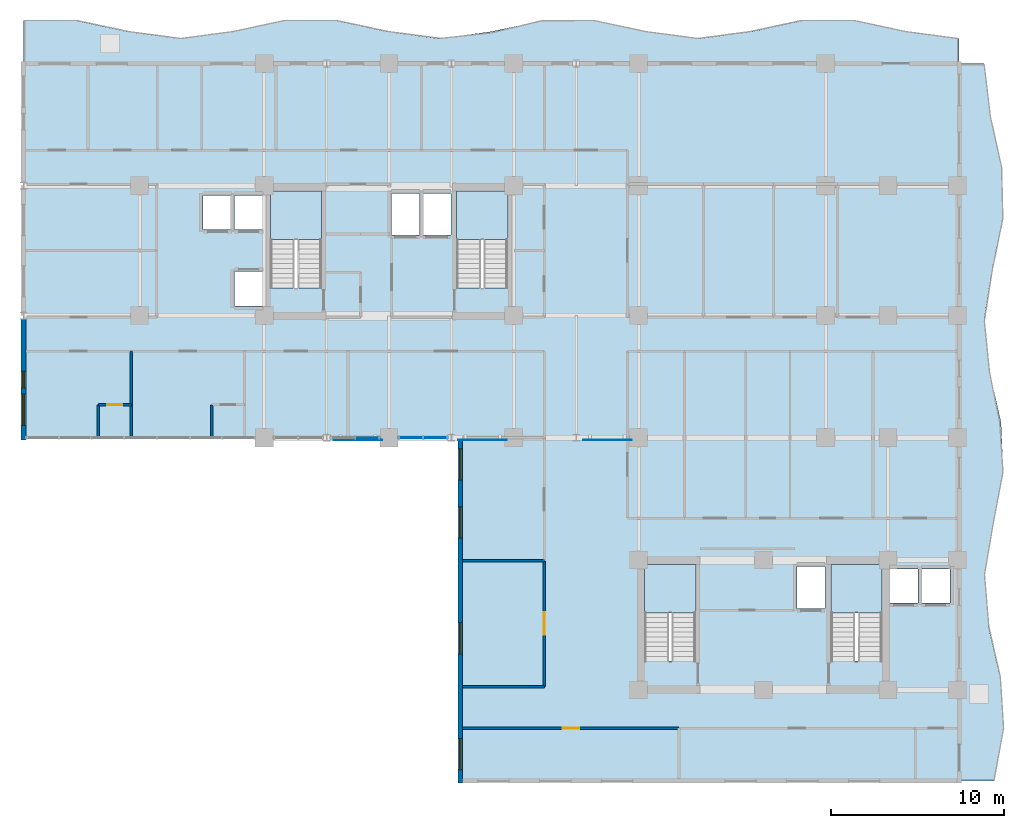
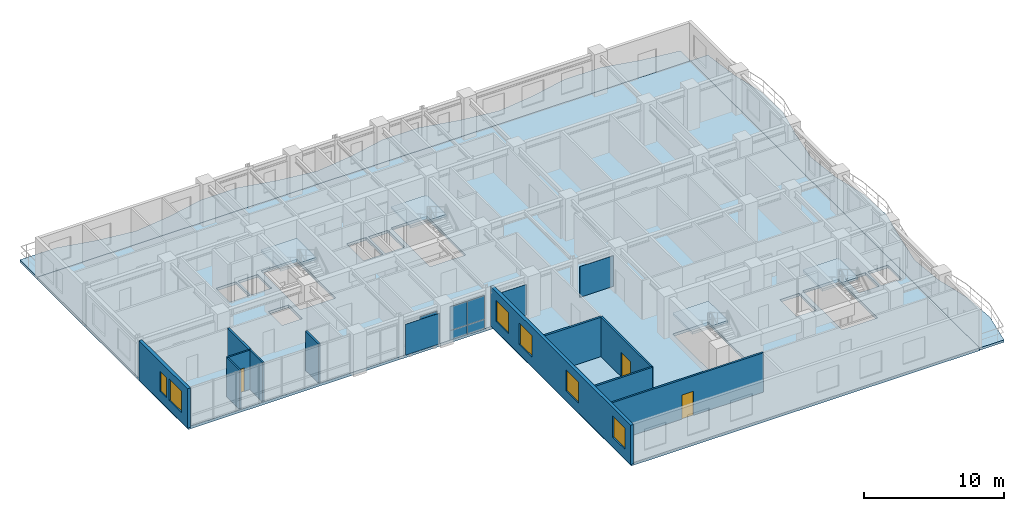
# One storey, part 8 of 17: 11 walls, 8 plates, 7 slabs, 6 windows, 3 doors, 9 openings, 6 elements without a shape of their own.
"""IFC4 building model written with IfcOpenShell, lengths in metres."""

from ifc_helpers import new_model, si_unit, direction, frame, frame_2d, origin, origin_2d, place, context, subcontext, project, spatial, polyline, rectangle, outline, extrude, source, transform, mapped, material, layer, layer_set, type_object, element, fill, aggregate, save


model = new_model("IFC4")

# Units and contexts
model_context = context("Model", 3, precision=1e-05, world=origin(), true_north=direction((0.0, 1.0)))
body_context = subcontext(model_context, "Body", "Model", "MODEL_VIEW")
ifc_project = project(units=[si_unit("LENGTHUNIT", "METRE"), si_unit("AREAUNIT", "SQUARE_METRE"), si_unit("VOLUMEUNIT", "CUBIC_METRE"), si_unit("PLANEANGLEUNIT", "RADIAN"), si_unit("MASSUNIT", "GRAM", prefix="KILO")], contexts=[model_context])

# Site, building, storey
site_placement = place(None, origin())
site = spatial("IfcSite", under=ifc_project, at=site_placement, CompositionType="ELEMENT")
building_placement = place(site_placement, origin())
building = spatial("IfcBuilding", under=site, at=building_placement, Name="Kaliganga Portal Commons", CompositionType="ELEMENT")
storey_placement = place(building_placement, frame((0.0, 0.0, 143.89990234375)))
storey = spatial("IfcBuildingStorey", under=building, at=storey_placement, Name="L36", CompositionType="ELEMENT", Elevation=143.89990234375)

# Slabs
ifc_material_1 = material(Name="Concrete C40/50", Category="concrete")
ifc_layer_1 = layer(ifc_material_1, 0.2099609375)
ifc_layer_set_1 = layer_set([ifc_layer_1], Name="Concrete C40/50")
slab_type_1 = type_object("IfcSlabType", Name="SLB-BALC-210", PredefinedType="FLOOR", material=ifc_layer_set_1)
slab_1_placement = place(storey_placement, frame((0.0, 0.0, -0.2099609375)))
element("IfcSlab", 1, at=slab_1_placement, inside=storey, type_object=slab_type_1, Name="Scalloped Tree-Planter Balcony Slab L36 balc_north", PredefinedType="FLOOR", context=body_context, shape_type="SweptSolid", body=[
    extrude(outline(polyline([(54.5, 43.199951171875), (54.5, 44.642822265625), (51.5, 45.042724609375), (48.5, 45.689453125), (45.5, 45.689453125), (42.5, 45.042724609375), (39.5, 44.642822265625), (36.5, 45.042724609375), (33.5, 45.689453125), (30.5, 45.689453125), (27.5, 45.042724609375), (24.5, 44.642822265625), (21.5, 45.042724609375), (18.5, 45.689453125), (15.5, 45.689453125), (12.5, 45.042724609375), (9.5, 44.642822265625), (6.5, 45.042724609375), (3.5, 45.689453125), (0.5, 45.689453125), (0.5, 43.199951171875), (54.5, 43.199951171875)])), origin(), (0.0, 0.0, 1.0), 0.2099609375),
])
slab_2_placement = place(storey_placement, frame((0.0, 0.0, -0.2099609375)))
element("IfcSlab", 2, at=slab_2_placement, inside=storey, type_object=slab_type_1, Name="Scalloped Tree-Planter Balcony Slab L36 balc_east", PredefinedType="FLOOR", context=body_context, shape_type="SweptSolid", body=[
    extrude(outline(polyline([(54.5, 1.800048828125), (56.521484375, 1.800048828125), (57.068359375, 4.757080078125), (56.878173828125, 7.71435546875), (56.20703125, 10.67138671875), (55.959716796875, 13.628662109375), (56.469482421875, 16.585693359375), (57.04931640625, 19.54296875), (56.91748046875, 22.5), (56.251953125, 25.45703125), (55.94970703125, 28.414306640625), (56.418212890625, 31.371337890625), (57.02587890625, 34.32861328125), (56.95361328125, 37.28564453125), (56.298828125, 40.242919921875), (55.944091796875, 43.199951171875), (54.5, 43.199951171875), (54.5, 1.800048828125)])), origin(), (0.0, 0.0, 1.0), 0.2099609375),
])

# Stair, slab
stair_type = type_object("IfcStairType", Name="ST-CORE-DOGLEG", PredefinedType="HALF_TURN_STAIR", material=ifc_material_1)
stair_1_placement = place(storey_placement, origin())
stair_1 = element("IfcStair", 3, at=stair_1_placement, inside=storey, type_object=stair_type, Name="L36 Protected Exit Stair ST-A1", PredefinedType="HALF_TURN_STAIR")
ifc_layer_2 = layer(ifc_material_1, 0.199951171875)
ifc_layer_set_2 = layer_set([ifc_layer_2], Name="Concrete C40/50")
slab_type_2 = type_object("IfcSlabType", Name="SLB-STAIR-LND", PredefinedType="LANDING", material=ifc_layer_set_2)
slab_3_placement = place(storey_placement, frame((0.0, 0.0, 1.650146484375)))
slab_3 = element("IfcSlab", 4, at=slab_3_placement, type_object=slab_type_2, Name="ST-A1 landing 1", PredefinedType="LANDING", context=body_context, shape_type="SweptSolid", body=[
    extrude(outline(polyline([(17.699951171875, 33.050048828125), (17.699951171875, 35.85009765625), (14.75, 35.85009765625), (14.75, 33.050048828125), (17.699951171875, 33.050048828125)])), origin(), (0.0, 0.0, 1.0), 0.199951171875),
])
aggregate(stair_1, [slab_3])

stair_2_placement = place(storey_placement, origin())
stair_2 = element("IfcStair", 5, at=stair_2_placement, inside=storey, type_object=stair_type, Name="L36 Protected Exit Stair ST-A2", PredefinedType="HALF_TURN_STAIR")
slab_4_placement = place(storey_placement, frame((0.0, 0.0, 1.650146484375)))
slab_4 = element("IfcSlab", 6, at=slab_4_placement, type_object=slab_type_2, Name="ST-A2 landing 1", PredefinedType="LANDING", context=body_context, shape_type="SweptSolid", body=[
    extrude(outline(polyline([(28.449951171875, 33.050048828125), (28.449951171875, 35.85009765625), (25.5, 35.85009765625), (25.5, 33.050048828125), (28.449951171875, 33.050048828125)])), origin(), (0.0, 0.0, 1.0), 0.199951171875),
])
aggregate(stair_2, [slab_4])

stair_3_placement = place(storey_placement, origin())
stair_3 = element("IfcStair", 7, at=stair_3_placement, inside=storey, type_object=stair_type, Name="L36 Protected Exit Stair ST-B1", PredefinedType="HALF_TURN_STAIR")
slab_5_placement = place(storey_placement, frame((0.0, 0.0, 1.650146484375)))
slab_5 = element("IfcSlab", 8, at=slab_5_placement, type_object=slab_type_2, Name="ST-B1 landing 1", PredefinedType="LANDING", context=body_context, shape_type="SweptSolid", body=[
    extrude(outline(polyline([(39.300048828125, 11.5), (39.300048828125, 14.300048828125), (36.35009765625, 14.300048828125), (36.35009765625, 11.5), (39.300048828125, 11.5)])), origin(), (0.0, 0.0, 1.0), 0.199951171875),
])
aggregate(stair_3, [slab_5])

stair_4_placement = place(storey_placement, origin())
stair_4 = element("IfcStair", 9, at=stair_4_placement, inside=storey, type_object=stair_type, Name="L36 Protected Exit Stair ST-B2", PredefinedType="HALF_TURN_STAIR")
slab_6_placement = place(storey_placement, frame((0.0, 0.0, 1.650146484375)))
slab_6 = element("IfcSlab", 10, at=slab_6_placement, type_object=slab_type_2, Name="ST-B2 landing 1", PredefinedType="LANDING", context=body_context, shape_type="SweptSolid", body=[
    extrude(outline(polyline([(50.050048828125, 11.5), (50.050048828125, 14.300048828125), (47.10009765625, 14.300048828125), (47.10009765625, 11.5), (50.050048828125, 11.5)])), origin(), (0.0, 0.0, 1.0), 0.199951171875),
])
aggregate(stair_4, [slab_6])

# Slab
ifc_layer_3 = layer(ifc_material_1, 0.239990234375)
ifc_layer_set_3 = layer_set([ifc_layer_3], Name="Concrete C40/50")
slab_type_3 = type_object("IfcSlabType", Name="SLB-TWR-240", PredefinedType="FLOOR", material=ifc_layer_set_3)
slab_7_placement = place(storey_placement, frame((0.0, 0.0, -0.239990234375)))
element("IfcSlab", 11, at=slab_7_placement, inside=storey, type_object=slab_type_3, Name="Structural Floor Slab L36", PredefinedType="FLOOR", context=body_context, shape_type="SweptSolid", body=[
    extrude(outline(polyline([(25.699951171875, 1.800048828125), (54.5, 1.800048828125), (54.5, 43.199951171875), (0.5, 43.199951171875), (0.5, 21.60009765625), (25.699951171875, 21.60009765625), (25.699951171875, 1.800048828125)]), holes=[polyline([(14.75, 30.25390625), (14.75, 35.85009765625), (17.699951171875, 35.85009765625), (17.699951171875, 30.25390625), (14.75, 30.25390625)]), polyline([(25.5, 30.25390625), (25.5, 35.85009765625), (28.449951171875, 35.85009765625), (28.449951171875, 30.25390625), (25.5, 30.25390625)]), polyline([(36.35009765625, 8.7041015625), (36.35009765625, 14.300048828125), (39.300048828125, 14.300048828125), (39.300048828125, 8.7041015625), (36.35009765625, 8.7041015625)]), polyline([(47.10009765625, 8.7041015625), (47.10009765625, 14.300048828125), (50.050048828125, 14.300048828125), (50.050048828125, 8.7041015625), (47.10009765625, 8.7041015625)]), polyline([(12.6650390625, 33.614990234375), (12.6650390625, 35.5849609375), (14.3349609375, 35.5849609375), (14.3349609375, 33.614990234375), (12.6650390625, 33.614990234375)]), polyline([(12.6650390625, 29.215087890625), (12.6650390625, 31.18505859375), (14.3349609375, 31.18505859375), (14.3349609375, 29.215087890625), (12.6650390625, 29.215087890625)]), polyline([(10.864990234375, 33.614990234375), (10.864990234375, 35.5849609375), (12.534912109375, 35.5849609375), (12.534912109375, 33.614990234375), (10.864990234375, 33.614990234375)]), polyline([(21.739990234375, 33.2900390625), (21.739990234375, 35.7099609375), (23.360107421875, 35.7099609375), (23.360107421875, 33.2900390625), (21.739990234375, 33.2900390625)]), polyline([(23.5400390625, 33.2900390625), (23.5400390625, 35.7099609375), (25.159912109375, 35.7099609375), (25.159912109375, 33.2900390625), (23.5400390625, 33.2900390625)]), polyline([(50.465087890625, 12.06494140625), (50.465087890625, 14.034912109375), (52.135009765625, 14.034912109375), (52.135009765625, 12.06494140625), (50.465087890625, 12.06494140625)]), polyline([(52.31494140625, 12.06494140625), (52.31494140625, 14.034912109375), (53.985107421875, 14.034912109375), (53.985107421875, 12.06494140625), (52.31494140625, 12.06494140625)]), polyline([(45.139892578125, 11.739990234375), (45.139892578125, 14.159912109375), (46.760009765625, 14.159912109375), (46.760009765625, 11.739990234375), (45.139892578125, 11.739990234375)])]), origin(), (0.0, 0.0, 1.0), 0.239990234375),
])

# Plates
ifc_material_2 = material(Name="Perforated Bronze-Anodized Aluminium Solar Screen", Category="aluminium")
ifc_layer_4 = layer(ifc_material_2, 0.01806640625)
ifc_layer_set_4 = layer_set([ifc_layer_4], Name="Perforated Bronze-Anodized Aluminium Solar Screen")
plate_type_1 = type_object("IfcPlateType", Name="PLT-SCR-18", PredefinedType="USERDEFINED", material=ifc_layer_set_4)
shared_shape_1 = source(origin(), body_context, "Body", "SweptSolid", [
    extrude(rectangle(XDim=2.800048828125, YDim=0.01806640625, at=origin_2d()), origin(), (0.0, 0.0, 1.0), 2.68994140625),
])
for number, where, z_axis, x_axis, name in (
    (12, (19.800048828125, 21.47998046875, 0.080078125), (0.0, 0.0, 1.0), (1.0, 0.0, 0.0), "Perforated Solar Screen L36-S1"),
    (13, (27.0, 21.47998046875, 0.080078125), (0.0, 0.0, 1.0), (1.0, 0.0, 0.0), "Perforated Solar Screen L36-S2"),
    (14, (34.199951171875, 21.47998046875, 0.080078125), (0.0, 0.0, 1.0), (1.0, 0.0, 0.0), "Perforated Solar Screen L36-S3"),
):
    element("IfcPlate", number, at=place(storey_placement, frame(where, z_axis=z_axis, x_axis=x_axis)), inside=storey, type_object=plate_type_1, Name=name, ObjectType="SOLAR SCREEN", PredefinedType="USERDEFINED", context=body_context, shape_type="MappedRepresentation", body=[
        mapped(shared_shape_1, transform((0.0, 0.0, 0.0), x_axis=(1.0, 0.0, 0.0), y_axis=(0.0, 1.0, 0.0), z_axis=(0.0, 0.0, 1.0), scale=1.0)),
    ])

# Curtain wall, plates
ifc_material_3 = material(Name="Anodized Aluminium and Laminated Low-E Glass", Category="aluminium")
ifc_layer_5 = layer(ifc_material_3, 0.2099609375)
ifc_layer_set_5 = layer_set([ifc_layer_5], Name="Anodized Aluminium and Laminated Low-E Glass")
curtain_wall_type = type_object("IfcCurtainWallType", Name="CW-SYS-03", PredefinedType="NOTDEFINED", material=ifc_layer_set_5)
curtain_wall_1_placement = place(storey_placement, origin())
curtain_wall_1 = element("IfcCurtainWall", 15, at=curtain_wall_1_placement, inside=storey, type_object=curtain_wall_type, Name="CW 03 L36 P1E04S4", PredefinedType="NOTDEFINED")
ifc_material_4 = material(Name="Insulated Dark Spandrel Panel", Category="metal")
ifc_layer_6 = layer(ifc_material_4, 0.044921875)
ifc_layer_set_6 = layer_set([ifc_layer_6], Name="Insulated Dark Spandrel Panel")
plate_type_2 = type_object("IfcPlateType", Name="PLT-SPN-45", PredefinedType="SHEET", material=ifc_layer_set_6)
shared_shape_2 = source(origin(), body_context, "Body", "SweptSolid", [
    extrude(rectangle(XDim=1.3955078125, YDim=0.044921875, at=origin_2d()), origin(), (0.0, 0.0, 1.0), 0.82275390625),
])
plate_1_placement = place(storey_placement, frame((22.84375, 21.60009765625, 0.010009765625), z_axis=(0.0, 0.0, 1.0), x_axis=(1.0, 0.0, 0.0)))
plate_1 = element("IfcPlate", 16, at=plate_1_placement, type_object=plate_type_2, Name="CW:03:L36:P1E04S4 Spandrel 00", PredefinedType="SHEET", context=body_context, shape_type="MappedRepresentation", body=[
    mapped(shared_shape_2, transform((0.0, 0.0, 0.0), x_axis=(1.0, 0.0, 0.0), y_axis=(0.0, 1.0, 0.0), z_axis=(0.0, 0.0, 1.0), scale=1.0)),
])
plate_2_placement = place(storey_placement, frame((24.279296875, 21.60009765625, 0.010009765625), z_axis=(0.0, 0.0, 1.0), x_axis=(1.0, 0.0, 0.0)))
plate_2 = element("IfcPlate", 17, at=plate_2_placement, type_object=plate_type_2, Name="CW:03:L36:P1E04S4 Spandrel 01", PredefinedType="SHEET", context=body_context, shape_type="MappedRepresentation", body=[
    mapped(shared_shape_2, transform((0.0, 0.0, 0.0), x_axis=(1.0, 0.0, 0.0), y_axis=(0.0, 1.0, 0.0), z_axis=(0.0, 0.0, 1.0), scale=1.0)),
])

# Curtain wall, plate
curtain_wall_2_placement = place(storey_placement, origin())
curtain_wall_2 = element("IfcCurtainWall", 18, at=curtain_wall_2_placement, inside=storey, type_object=curtain_wall_type, Name="CW 03 L36 P1E04S3", PredefinedType="NOTDEFINED")
ifc_material_5 = material(Name="Dark Solar-Control Laminated Low-E IGU", Category="glass")
ifc_layer_7 = layer(ifc_material_5, 0.028076171875)
ifc_layer_set_7 = layer_set([ifc_layer_7], Name="Dark Solar-Control Laminated Low-E IGU")
plate_type_3 = type_object("IfcPlateType", Name="PLT-GLZ-28", PredefinedType="CURTAIN_PANEL", material=ifc_layer_set_7)
shared_shape_3 = source(origin(), body_context, "Body", "SweptSolid", [
    extrude(rectangle(XDim=1.3955078125, YDim=0.028076171875, at=origin_2d()), origin(), (0.0, 0.0, 1.0), 2.067138671875),
])
plate_3_placement = place(storey_placement, frame((20.356201171875, 21.60009765625, 0.85302734375), z_axis=(0.0, 0.0, 1.0), x_axis=(1.0, 0.0, 0.0)))
plate_3 = element("IfcPlate", 19, at=plate_3_placement, type_object=plate_type_3, Name="CW:03:L36:P1E04S3 Vision IGU 01", PredefinedType="CURTAIN_PANEL", context=body_context, shape_type="MappedRepresentation", body=[
    mapped(shared_shape_3, transform((0.0, 0.0, 0.0), x_axis=(1.0, 0.0, 0.0), y_axis=(0.0, 1.0, 0.0), z_axis=(0.0, 0.0, 1.0), scale=1.0)),
])
aggregate(curtain_wall_2, [plate_3])

# Plate
plate_4_placement = place(storey_placement, frame((22.84375, 21.60009765625, 0.85302734375), z_axis=(0.0, 0.0, 1.0), x_axis=(1.0, 0.0, 0.0)))
plate_4 = element("IfcPlate", 20, at=plate_4_placement, type_object=plate_type_3, Name="CW:03:L36:P1E04S4 Vision IGU 00", PredefinedType="CURTAIN_PANEL", context=body_context, shape_type="MappedRepresentation", body=[
    mapped(shared_shape_3, transform((0.0, 0.0, 0.0), x_axis=(1.0, 0.0, 0.0), y_axis=(0.0, 1.0, 0.0), z_axis=(0.0, 0.0, 1.0), scale=1.0)),
])

plate_5_placement = place(storey_placement, frame((24.279296875, 21.60009765625, 0.85302734375), z_axis=(0.0, 0.0, 1.0), x_axis=(1.0, 0.0, 0.0)))
plate_5 = element("IfcPlate", 21, at=plate_5_placement, type_object=plate_type_3, Name="CW:03:L36:P1E04S4 Vision IGU 01", PredefinedType="CURTAIN_PANEL", context=body_context, shape_type="MappedRepresentation", body=[
    mapped(shared_shape_3, transform((0.0, 0.0, 0.0), x_axis=(1.0, 0.0, 0.0), y_axis=(0.0, 1.0, 0.0), z_axis=(0.0, 0.0, 1.0), scale=1.0)),
])

aggregate(curtain_wall_1, [plate_1, plate_4, plate_2, plate_5])

# Wall, openings, windows
ifc_material_6 = material(Name="Insulated Aluminium-Clad Spandrel Assembly", Category="aluminium")
ifc_layer_8 = layer(ifc_material_6, 0.260009765625)
ifc_layer_set_8 = layer_set([ifc_layer_8], Name="Insulated Aluminium-Clad Spandrel Assembly")
wall_type_1 = type_object("IfcWallType", Name="WL-EXT-SPAND-260", PredefinedType="STANDARD", material=ifc_layer_set_8)
wall_1_placement = place(storey_placement, frame((0.5, 21.469970703125, 0.0), z_axis=(0.0, 0.0, 1.0), x_axis=(0.0, 1.0, 0.0)))
wall_1 = element("IfcWall", 22, at=wall_1_placement, inside=storey, type_object=wall_type_1, Name="Exterior Envelope Wall L36 P1-E03-S3", PredefinedType="STANDARD", context=body_context, shape_type="SweptSolid", body=[
    extrude(rectangle(XDim=6.971923828125, YDim=0.260009765625, at=frame_2d((3.48583984375, 0.0))), origin(), (0.0, 0.0, 1.0), 3.440185546875),
])
opening_1_placement = place(wall_1_placement, frame((0.843017578125, 0.0, 0.85009765625)))
opening_1 = element("IfcOpeningElement", 23, at=opening_1_placement, cuts=wall_1, Name="Opening W-01", PredefinedType="OPENING", context=body_context, shape_type="SweptSolid", body=[
    extrude(rectangle(XDim=1.800048828125, YDim=1.85009765625, at=frame_2d((0.89990234375, 0.925048828125))), frame((0.0, 0.14013671875, 0.0), z_axis=(0.0, -1.0, 0.0), x_axis=(1.0, 0.0, 0.0)), (0.0, 0.0, 1.0), 0.280029296875),
])
opening_2_placement = place(wall_1_placement, frame((3.010986328125, 0.0, 0.85009765625)))
opening_2 = element("IfcOpeningElement", 24, at=opening_2_placement, cuts=wall_1, Name="Opening W-04", PredefinedType="OPENING", context=body_context, shape_type="SweptSolid", body=[
    extrude(rectangle(XDim=0.949951171875, YDim=1.75, at=frame_2d((0.47509765625, 0.875))), frame((0.0, 0.14013671875, 0.0), z_axis=(0.0, -1.0, 0.0), x_axis=(1.0, 0.0, 0.0)), (0.0, 0.0, 1.0), 0.280029296875),
])
ifc_material_7 = material(Name="Thermally Broken Aluminium and Low-E Double Glazing", Category="aluminium")
window_type_1 = type_object("IfcWindowType", Name="WIN-NARROW-950", PartitioningType="SINGLE_PANEL", PredefinedType="WINDOW", material=ifc_material_7)
window_1_placement = place(opening_2_placement, origin())
window_1 = element("IfcWindow", 25, at=window_1_placement, inside=storey, type_object=window_type_1, Name="Facade Window L36-P1E03S3-N0", OverallHeight=1.75, OverallWidth=0.949951171875, PartitioningType="SINGLE_PANEL", PredefinedType="WINDOW", context=body_context, shape_type="SweptSolid", body=[
    extrude(rectangle(XDim=0.949951171875, YDim=1.75, at=frame_2d((0.47509765625, 0.875))), frame((0.0, 0.030029296875, 0.0), z_axis=(0.0, -1.0, 0.0), x_axis=(1.0, 0.0, 0.0)), (0.0, 0.0, 1.0), 0.06005859375),
])
fill(opening_2, window_1)
window_type_2 = type_object("IfcWindowType", Name="WIN-STD-1800", PartitioningType="DOUBLE_PANEL_VERTICAL", PredefinedType="WINDOW", material=ifc_material_7)
window_2_placement = place(opening_1_placement, origin())
window_2 = element("IfcWindow", 26, at=window_2_placement, inside=storey, type_object=window_type_2, Name="Facade Window L36-P1E03S3-00", OverallHeight=1.85009765625, OverallWidth=1.800048828125, PartitioningType="SINGLE_PANEL", PredefinedType="WINDOW", context=body_context, shape_type="SweptSolid", body=[
    extrude(rectangle(XDim=1.800048828125, YDim=1.85009765625, at=frame_2d((0.89990234375, 0.925048828125))), frame((0.0, 0.030029296875, 0.0), z_axis=(0.0, -1.0, 0.0), x_axis=(1.0, 0.0, 0.0)), (0.0, 0.0, 1.0), 0.06005859375),
])
fill(opening_1, window_2)

wall_2_placement = place(storey_placement, frame((25.699951171875, 1.669921875, 0.0), z_axis=(0.0, 0.0, 1.0), x_axis=(0.0, 1.0, 0.0)))
wall_2 = element("IfcWall", 27, at=wall_2_placement, inside=storey, type_object=wall_type_1, Name="Exterior Envelope Wall L36 P1-E05-S1", PredefinedType="STANDARD", context=body_context, shape_type="SweptSolid", body=[
    extrude(rectangle(XDim=20.06005859375, YDim=0.260009765625, at=frame_2d((10.030029296875, 0.0))), origin(), (0.0, 0.0, 1.0), 3.440185546875),
])
opening_3_placement = place(wall_2_placement, frame((0.771728515625, 0.0, 0.85009765625)))
opening_3 = element("IfcOpeningElement", 28, at=opening_3_placement, cuts=wall_2, Name="Opening W-01", PredefinedType="OPENING", context=body_context, shape_type="SweptSolid", body=[
    extrude(rectangle(XDim=1.800048828125, YDim=1.85009765625, at=frame_2d((0.89990234375, 0.925048828125))), frame((0.0, 0.14013671875, 0.0), z_axis=(0.0, -1.0, 0.0), x_axis=(1.0, 0.0, 0.0)), (0.0, 0.0, 1.0), 0.280029296875),
])
opening_4_placement = place(wall_2_placement, frame((7.458251953125, 0.0, 0.85009765625)))
opening_4 = element("IfcOpeningElement", 29, at=opening_4_placement, cuts=wall_2, Name="Opening W-01", PredefinedType="OPENING", context=body_context, shape_type="SweptSolid", body=[
    extrude(rectangle(XDim=1.800048828125, YDim=1.85009765625, at=frame_2d((0.89990234375, 0.925048828125))), frame((0.0, 0.14013671875, 0.0), z_axis=(0.0, -1.0, 0.0), x_axis=(1.0, 0.0, 0.0)), (0.0, 0.0, 1.0), 0.280029296875),
])
opening_5_placement = place(wall_2_placement, frame((14.14501953125, 0.0, 0.85009765625)))
opening_5 = element("IfcOpeningElement", 30, at=opening_5_placement, cuts=wall_2, Name="Opening W-01", PredefinedType="OPENING", context=body_context, shape_type="SweptSolid", body=[
    extrude(rectangle(XDim=1.800048828125, YDim=1.85009765625, at=frame_2d((0.89990234375, 0.925048828125))), frame((0.0, 0.14013671875, 0.0), z_axis=(0.0, -1.0, 0.0), x_axis=(1.0, 0.0, 0.0)), (0.0, 0.0, 1.0), 0.280029296875),
])
opening_6_placement = place(wall_2_placement, frame((17.48828125, 0.0, 0.85009765625)))
opening_6 = element("IfcOpeningElement", 31, at=opening_6_placement, cuts=wall_2, Name="Opening W-01", PredefinedType="OPENING", context=body_context, shape_type="SweptSolid", body=[
    extrude(rectangle(XDim=1.800048828125, YDim=1.85009765625, at=frame_2d((0.89990234375, 0.925048828125))), frame((0.0, 0.14013671875, 0.0), z_axis=(0.0, -1.0, 0.0), x_axis=(1.0, 0.0, 0.0)), (0.0, 0.0, 1.0), 0.280029296875),
])
window_3_placement = place(opening_3_placement, origin())
window_3 = element("IfcWindow", 32, at=window_3_placement, inside=storey, type_object=window_type_2, Name="Facade Window L36-P1E05S1-00", OverallHeight=1.85009765625, OverallWidth=1.800048828125, PartitioningType="SINGLE_PANEL", PredefinedType="WINDOW", context=body_context, shape_type="SweptSolid", body=[
    extrude(rectangle(XDim=1.800048828125, YDim=1.85009765625, at=frame_2d((0.89990234375, 0.925048828125))), frame((0.0, 0.030029296875, 0.0), z_axis=(0.0, -1.0, 0.0), x_axis=(1.0, 0.0, 0.0)), (0.0, 0.0, 1.0), 0.06005859375),
])
fill(opening_3, window_3)
window_4_placement = place(opening_4_placement, origin())
window_4 = element("IfcWindow", 33, at=window_4_placement, inside=storey, type_object=window_type_2, Name="Facade Window L36-P1E05S1-02", OverallHeight=1.85009765625, OverallWidth=1.800048828125, PartitioningType="SINGLE_PANEL", PredefinedType="WINDOW", context=body_context, shape_type="SweptSolid", body=[
    extrude(rectangle(XDim=1.800048828125, YDim=1.85009765625, at=frame_2d((0.89990234375, 0.925048828125))), frame((0.0, 0.030029296875, 0.0), z_axis=(0.0, -1.0, 0.0), x_axis=(1.0, 0.0, 0.0)), (0.0, 0.0, 1.0), 0.06005859375),
])
fill(opening_4, window_4)
window_5_placement = place(opening_5_placement, origin())
window_5 = element("IfcWindow", 34, at=window_5_placement, inside=storey, type_object=window_type_2, Name="Facade Window L36-P1E05S1-04", OverallHeight=1.85009765625, OverallWidth=1.800048828125, PartitioningType="SINGLE_PANEL", PredefinedType="WINDOW", context=body_context, shape_type="SweptSolid", body=[
    extrude(rectangle(XDim=1.800048828125, YDim=1.85009765625, at=frame_2d((0.89990234375, 0.925048828125))), frame((0.0, 0.030029296875, 0.0), z_axis=(0.0, -1.0, 0.0), x_axis=(1.0, 0.0, 0.0)), (0.0, 0.0, 1.0), 0.06005859375),
])
fill(opening_5, window_5)
window_6_placement = place(opening_6_placement, origin())
window_6 = element("IfcWindow", 35, at=window_6_placement, inside=storey, type_object=window_type_2, Name="Facade Window L36-P1E05S1-05", OverallHeight=1.85009765625, OverallWidth=1.800048828125, PartitioningType="SINGLE_PANEL", PredefinedType="WINDOW", context=body_context, shape_type="SweptSolid", body=[
    extrude(rectangle(XDim=1.800048828125, YDim=1.85009765625, at=frame_2d((0.89990234375, 0.925048828125))), frame((0.0, 0.030029296875, 0.0), z_axis=(0.0, -1.0, 0.0), x_axis=(1.0, 0.0, 0.0)), (0.0, 0.0, 1.0), 0.06005859375),
])
fill(opening_6, window_6)

# Wall, opening, door
ifc_material_8 = material(Name="Fire-Rated Gypsum Board on Steel Stud", Category="steel")
ifc_layer_9 = layer(ifc_material_8, 0.14990234375)
ifc_layer_set_9 = layer_set([ifc_layer_9], Name="Fire-Rated Gypsum Board on Steel Stud")
wall_type_2 = type_object("IfcWallType", Name="WL-PART-CORR-150", PredefinedType="PARTITIONING", material=ifc_layer_set_9)
wall_3_placement = place(storey_placement, frame((25.83203125, 4.840087890625, 0.0), z_axis=(0.0, 0.0, 1.0), x_axis=(1.0, 0.0, 0.0)))
wall_3 = element("IfcWall", 36, at=wall_3_placement, inside=storey, type_object=wall_type_2, Name="Interior Partition L36-008", PredefinedType="PARTITIONING", context=body_context, shape_type="SweptSolid", body=[
    extrude(rectangle(XDim=12.508056640625, YDim=0.14990234375, at=frame_2d((6.25390625, 0.0))), origin(), (0.0, 0.0, 1.0), 3.440185546875),
])
opening_7_placement = place(wall_3_placement, frame((5.779052734375, 0.0, 0.0)))
opening_7 = element("IfcOpeningElement", 37, at=opening_7_placement, cuts=wall_3, Name="Opening UD-01", PredefinedType="OPENING", context=body_context, shape_type="SweptSolid", body=[
    extrude(rectangle(XDim=0.949951171875, YDim=2.10009765625, at=frame_2d((0.47509765625, 1.050048828125))), frame((0.0, 0.0849609375, 0.0), z_axis=(0.0, -1.0, 0.0), x_axis=(1.0, 0.0, 0.0)), (0.0, 0.0, 1.0), 0.169921875),
])
ifc_material_9 = material(Name="Solid-Core Timber Acoustic Fire Door", Category="wood")
door_type_1 = type_object("IfcDoorType", Name="DR-UNIT-950", OperationType="NOTDEFINED", PredefinedType="DOOR", material=ifc_material_9)
door_1_placement = place(opening_7_placement, origin())
door_1 = element("IfcDoor", 38, at=door_1_placement, inside=storey, type_object=door_type_1, Name="Interior Door L36-BS01", OperationType="SINGLE_SWING_RIGHT", OverallHeight=2.10009765625, OverallWidth=0.949951171875, PredefinedType="DOOR", context=body_context, shape_type="SweptSolid", body=[
    extrude(rectangle(XDim=0.949951171875, YDim=2.10009765625, at=frame_2d((0.47509765625, 1.050048828125))), frame((0.0, 0.02490234375, 0.0), z_axis=(0.0, -1.0, 0.0), x_axis=(1.0, 0.0, 0.0)), (0.0, 0.0, 1.0), 0.050048828125),
])
fill(opening_7, door_1)

wall_4_placement = place(storey_placement, frame((30.56005859375, 7.239990234375, 0.0), z_axis=(0.0, 0.0, 1.0), x_axis=(0.0, 1.0, 0.0)))
wall_4 = element("IfcWall", 39, at=wall_4_placement, inside=storey, type_object=wall_type_2, Name="Interior Partition L36-017", PredefinedType="PARTITIONING", context=body_context, shape_type="SweptSolid", body=[
    extrude(rectangle(XDim=7.260009765625, YDim=0.14990234375, at=frame_2d((3.6298828125, 0.0))), origin(), (0.0, 0.0, 1.0), 3.440185546875),
])
opening_8_placement = place(wall_4_placement, frame((2.97998046875, 0.0, 0.0)))
opening_8 = element("IfcOpeningElement", 40, at=opening_8_placement, cuts=wall_4, Name="Opening RD-03", PredefinedType="OPENING", context=body_context, shape_type="SweptSolid", body=[
    extrude(rectangle(XDim=1.300048828125, YDim=2.1201171875, at=frame_2d((0.64990234375, 1.06005859375))), frame((0.0, 0.0849609375, 0.0), z_axis=(0.0, -1.0, 0.0), x_axis=(1.0, 0.0, 0.0)), (0.0, 0.0, 1.0), 0.169921875),
])
ifc_material_10 = material(Name="Glazed Timber Seminar Vision Door", Category="wood")
door_type_2 = type_object("IfcDoorType", Name="DR-STUDY-1300", OperationType="DOUBLE_DOOR_SINGLE_SWING", PredefinedType="DOOR", material=ifc_material_10)
door_2_placement = place(opening_8_placement, origin())
door_2 = element("IfcDoor", 41, at=door_2_placement, inside=storey, type_object=door_type_2, Name="Interior Door L36-KW01", OperationType="DOUBLE_DOOR_SINGLE_SWING", OverallHeight=2.1201171875, OverallWidth=1.300048828125, PredefinedType="DOOR", context=body_context, shape_type="SweptSolid", body=[
    extrude(rectangle(XDim=1.300048828125, YDim=2.1201171875, at=frame_2d((0.64990234375, 1.06005859375))), frame((0.0, 0.02490234375, 0.0), z_axis=(0.0, -1.0, 0.0), x_axis=(1.0, 0.0, 0.0)), (0.0, 0.0, 1.0), 0.050048828125),
])
fill(opening_8, door_2)

# Walls
wall_5_placement = place(storey_placement, frame((25.83203125, 7.239990234375, 0.0), z_axis=(0.0, 0.0, 1.0), x_axis=(1.0, 0.0, 0.0)))
element("IfcWall", 42, at=wall_5_placement, inside=storey, type_object=wall_type_2, Name="Interior Partition L36-030", PredefinedType="PARTITIONING", context=body_context, shape_type="SweptSolid", body=[
    extrude(rectangle(XDim=4.72802734375, YDim=0.14990234375, at=frame_2d((2.364013671875, 0.0))), origin(), (0.0, 0.0, 1.0), 3.440185546875),
])
ifc_material_11 = material(Name="Twin-Stud Acoustic Gypsum Partition", Category="gypsum")
ifc_layer_10 = layer(ifc_material_11, 0.1650390625)
ifc_layer_set_10 = layer_set([ifc_layer_10], Name="Twin-Stud Acoustic Gypsum Partition")
wall_type_3 = type_object("IfcWallType", Name="WL-PART-UNIT-165", PredefinedType="PARTITIONING", material=ifc_layer_set_10)
wall_6_placement = place(storey_placement, frame((25.83203125, 14.5, 0.0), z_axis=(0.0, 0.0, 1.0), x_axis=(1.0, 0.0, 0.0)))
element("IfcWall", 43, at=wall_6_placement, inside=storey, type_object=wall_type_3, Name="Interior Partition L36-077", PredefinedType="PARTITIONING", context=body_context, shape_type="SweptSolid", body=[
    extrude(rectangle(XDim=4.72802734375, YDim=0.1650390625, at=frame_2d((2.364013671875, 0.0))), origin(), (0.0, 0.0, 1.0), 3.440185546875),
])
wall_7_placement = place(storey_placement, frame((6.719970703125, 23.5, 0.0), z_axis=(0.0, 0.0, 1.0), x_axis=(0.0, 1.0, 0.0)))
element("IfcWall", 44, at=wall_7_placement, inside=storey, type_object=wall_type_3, Name="Interior Partition L36-084", PredefinedType="PARTITIONING", context=body_context, shape_type="SweptSolid", body=[
    extrude(rectangle(XDim=3.10009765625, YDim=0.1650390625, at=frame_2d((1.550048828125, 0.0))), origin(), (0.0, 0.0, 1.0), 3.440185546875),
])

# Wall, opening, door
ifc_material_12 = material(Name="Cement-Board Wet-Room Partition", Category="gypsum")
ifc_layer_11 = layer(ifc_material_12, 0.135009765625)
ifc_layer_set_11 = layer_set([ifc_layer_11], Name="Cement-Board Wet-Room Partition")
wall_type_4 = type_object("IfcWallType", Name="WL-PART-WET-135", PredefinedType="PARTITIONING", material=ifc_layer_set_11)
wall_8_placement = place(storey_placement, frame((4.820068359375, 23.5, 0.0), z_axis=(0.0, 0.0, 1.0), x_axis=(1.0, 0.0, 0.0)))
wall_8 = element("IfcWall", 45, at=wall_8_placement, inside=storey, type_object=wall_type_4, Name="Interior Partition L36-002", PredefinedType="PARTITIONING", context=body_context, shape_type="SweptSolid", body=[
    extrude(rectangle(XDim=1.89990234375, YDim=0.135009765625, at=frame_2d((0.949951171875, 0.0))), origin(), (0.0, 0.0, 1.0), 3.440185546875),
])
opening_9_placement = place(wall_8_placement, frame((0.52490234375, 0.0, 0.0)))
opening_9 = element("IfcOpeningElement", 46, at=opening_9_placement, cuts=wall_8, Name="Opening WD-01", PredefinedType="OPENING", context=body_context, shape_type="SweptSolid", body=[
    extrude(rectangle(XDim=0.85009765625, YDim=2.0400390625, at=frame_2d((0.425048828125, 1.02001953125))), frame((0.0, 0.07763671875, 0.0), z_axis=(0.0, -1.0, 0.0), x_axis=(1.0, 0.0, 0.0)), (0.0, 0.0, 1.0), 0.155029296875),
])
ifc_material_13 = material(Name="Moisture-Resistant Laminate Timber Door", Category="wood")
door_type_3 = type_object("IfcDoorType", Name="DR-WET-850", OperationType="NOTDEFINED", PredefinedType="DOOR", material=ifc_material_13)
door_3_placement = place(opening_9_placement, origin())
door_3 = element("IfcDoor", 47, at=door_3_placement, inside=storey, type_object=door_type_3, Name="Interior Door L36-AS01E", OperationType="SINGLE_SWING_RIGHT", OverallHeight=2.0400390625, OverallWidth=0.85009765625, PredefinedType="DOOR", context=body_context, shape_type="SweptSolid", body=[
    extrude(rectangle(XDim=0.85009765625, YDim=2.0400390625, at=frame_2d((0.425048828125, 1.02001953125))), frame((0.0, 0.02490234375, 0.0), z_axis=(0.0, -1.0, 0.0), x_axis=(1.0, 0.0, 0.0)), (0.0, 0.0, 1.0), 0.050048828125),
])
fill(opening_9, door_3)

# Walls
for number, where, z_axis, x_axis, name in (
    (48, (4.820068359375, 21.6201171875, 0.0), (0.0, 0.0, 1.0), (0.0, 1.0, 0.0), "Interior Partition L36-003"),
    (49, (6.719970703125, 21.6201171875, 0.0), (0.0, 0.0, 1.0), (0.0, 1.0, 0.0), "Interior Partition L36-004"),
    (50, (11.360107421875, 21.6201171875, 0.0), (0.0, 0.0, 1.0), (0.0, 1.0, 0.0), "Interior Partition L36-005"),
):
    element("IfcWall", number, at=place(storey_placement, frame(where, z_axis=z_axis, x_axis=x_axis)), inside=storey, type_object=wall_type_4, Name=name, PredefinedType="PARTITIONING", context=body_context, shape_type="SweptSolid", body=[
        extrude(rectangle(XDim=1.8798828125, YDim=0.135009765625, at=frame_2d((0.93994140625, 0.0))), origin(), (0.0, 0.0, 1.0), 3.440185546875),
    ])

save(model, "model.ifc")
